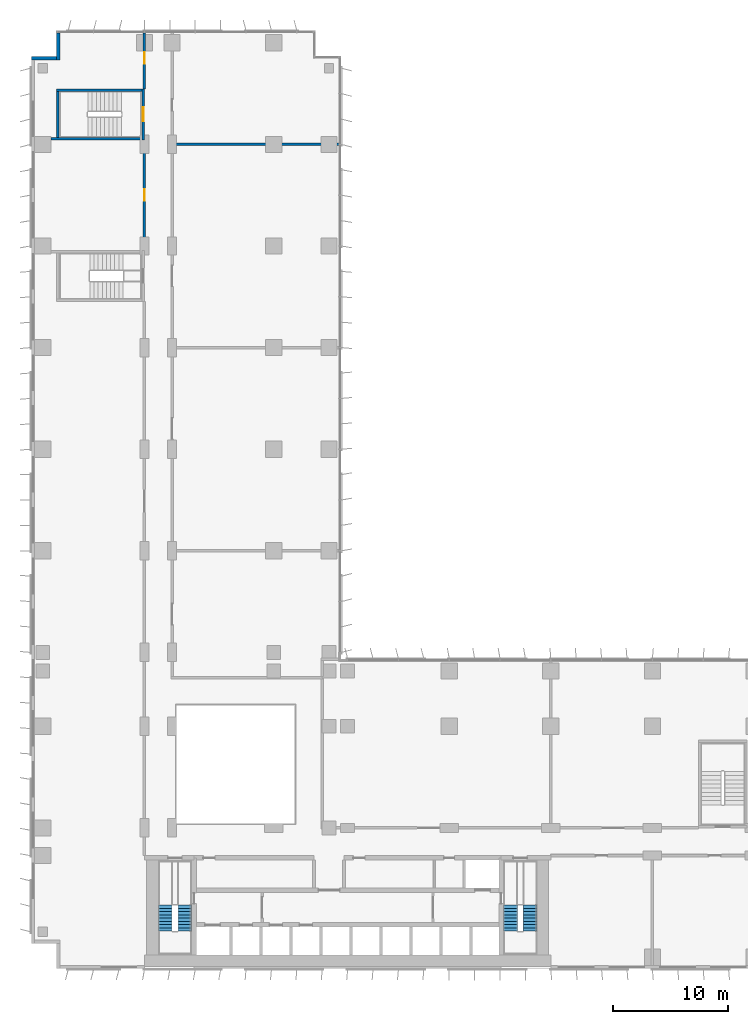
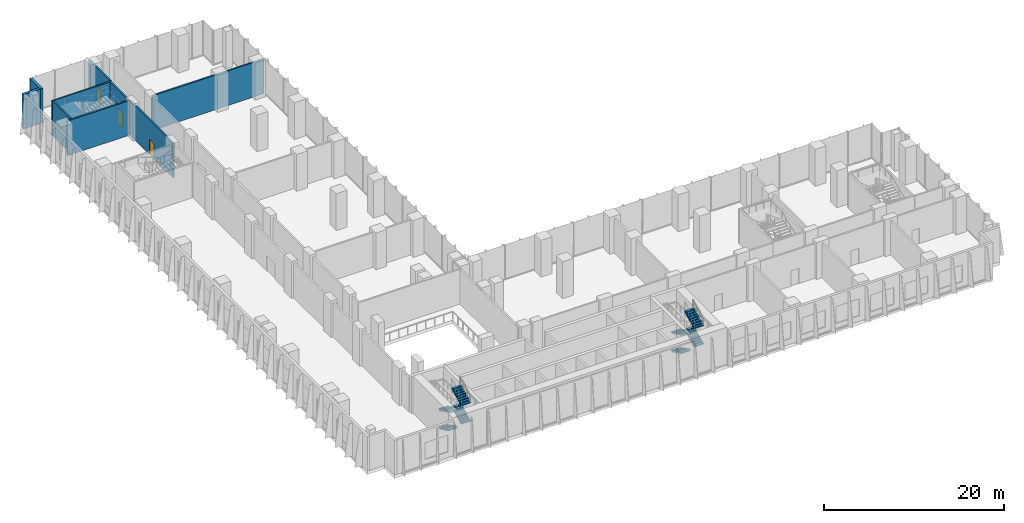
# One storey, part 16 of 23: 9 walls, 8 stair flights, 3 doors, 3 openings, 2 elements without a shape of their own.
"""IFC4 building model written with IfcOpenShell, lengths in metres."""

from ifc_helpers import new_model, si_unit, direction, frame, frame_2d, origin, place, context, subcontext, project, spatial, polyline, rectangle, outline, extrude, material, layer, layer_set, type_object, element, fill, aggregate, save


model = new_model("IFC4")

# Units and contexts
model_context = context("Model", 3, precision=1e-05, world=origin(), true_north=direction((0.0, 1.0)))
body_context = subcontext(model_context, "Body", "Model", "MODEL_VIEW")
ifc_project = project(units=[si_unit("LENGTHUNIT", "METRE"), si_unit("AREAUNIT", "SQUARE_METRE"), si_unit("VOLUMEUNIT", "CUBIC_METRE"), si_unit("PLANEANGLEUNIT", "RADIAN"), si_unit("MASSUNIT", "GRAM", prefix="KILO")], contexts=[model_context])

# Site, building, storey
site_placement = place(None, origin())
site = spatial("IfcSite", under=ifc_project, at=site_placement, CompositionType="ELEMENT")
building_placement = place(site_placement, origin())
building = spatial("IfcBuilding", under=site, at=building_placement, Name="Kemantara Hotel Tower", CompositionType="ELEMENT")
storey_placement = place(building_placement, frame((0.0, 0.0, 71.0)))
storey = spatial("IfcBuildingStorey", under=building, at=storey_placement, Name="L16", CompositionType="ELEMENT", Elevation=71.0)

# Walls
ifc_material_1 = material(Name="Bronze anodised aluminium cladding on insulated steel stud wall", Category="steel")
ifc_layer_1 = layer(ifc_material_1, 0.300048828125)
ifc_layer_set_1 = layer_set([ifc_layer_1], Name="Bronze anodised aluminium cladding on insulated steel stud wall")
wall_type_1 = type_object("IfcWallType", Name="BRONZE METAL-CLAD EXTERNAL WALL 300", PredefinedType="STANDARD", material=ifc_layer_set_1)
wall_1_placement = place(storey_placement, frame((2.35009765625, 81.050048828125, 0.0), z_axis=(0.0, 0.0, 1.0), x_axis=(0.0, -1.0, 0.0)))
element("IfcWall", 1, at=wall_1_placement, inside=storey, type_object=wall_type_1, Name="EXTERNAL WALL L16 T1-R12", PredefinedType="STANDARD", context=body_context, shape_type="SweptSolid", body=[
    extrude(rectangle(XDim=2.35009765625, YDim=0.300048828125, at=frame_2d((1.175048828125, 0.0))), origin(), (0.0, 0.0, 1.0), 4.699951171875),
])
wall_2_placement = place(storey_placement, frame((2.199951171875, 78.85009765625, 0.0), z_axis=(0.0, 0.0, 1.0), x_axis=(-1.0, 0.0, 0.0)))
element("IfcWall", 2, at=wall_2_placement, inside=storey, type_object=wall_type_1, Name="EXTERNAL WALL L16 T1-R13", PredefinedType="STANDARD", context=body_context, shape_type="SweptSolid", body=[
    extrude(rectangle(XDim=2.199951171875, YDim=0.300048828125, at=frame_2d((1.10009765625, 0.0))), origin(), (0.0, 0.0, 1.0), 4.699951171875),
])

# Wall, opening, door
ifc_material_2 = material(Name="Concrete fc 40 MPa", Category="concrete")
ifc_layer_2 = layer(ifc_material_2, 0.199951171875)
ifc_layer_set_2 = layer_set([ifc_layer_2], Name="Concrete fc 40 MPa")
wall_type_2 = type_object("IfcWallType", Name="Concrete stair wall 200 mm", PredefinedType="SHEAR", material=ifc_layer_set_2)
wall_3_placement = place(storey_placement, frame((9.699951171875, 71.800048828125, 0.0), z_axis=(0.0, 0.0, 1.0), x_axis=(0.0, 1.0, 0.0)))
wall_3 = element("IfcWall", 3, at=wall_3_placement, inside=storey, type_object=wall_type_2, Name="Stair ST6 enclosure wall with door", PredefinedType="SHEAR", context=body_context, shape_type="SweptSolid", body=[
    extrude(rectangle(XDim=4.39990234375, YDim=0.199951171875, at=frame_2d((2.199951171875, 0.0))), origin(), (0.0, 0.0, 1.0), 4.699951171875),
])
opening_1_placement = place(wall_3_placement, frame((1.60009765625, 0.0, 0.0)))
opening_1 = element("IfcOpeningElement", 4, at=opening_1_placement, cuts=wall_3, Name="Opening ST6-C", PredefinedType="OPENING", context=body_context, shape_type="SweptSolid", body=[
    extrude(rectangle(XDim=1.199951171875, YDim=2.10009765625, at=frame_2d((0.60009765625, 1.050048828125))), frame((0.0, 0.10986328125, 0.0), z_axis=(0.0, -1.0, 0.0), x_axis=(1.0, 0.0, 0.0)), (0.0, 0.0, 1.0), 0.219970703125),
])
ifc_material_3 = material(Name="Steel fire door", Category="steel")
door_type_1 = type_object("IfcDoorType", Name="Fire door FD90 1200 x 2100", OperationType="NOTDEFINED", PredefinedType="DOOR", material=ifc_material_3)
door_1_placement = place(opening_1_placement, origin())
door_1 = element("IfcDoor", 5, at=door_1_placement, inside=storey, type_object=door_type_1, Name="Stair ST6 door", OperationType="SINGLE_SWING_RIGHT", OverallHeight=2.10009765625, OverallWidth=1.199951171875, PredefinedType="DOOR", context=body_context, shape_type="SweptSolid", body=[
    extrude(rectangle(XDim=1.199951171875, YDim=2.10009765625, at=frame_2d((0.60009765625, 1.050048828125))), frame((0.0, 0.02490234375, 0.0), z_axis=(0.0, -1.0, 0.0), x_axis=(1.0, 0.0, 0.0)), (0.0, 0.0, 1.0), 0.050048828125),
])
fill(opening_1, door_1)

# Walls
wall_4_placement = place(storey_placement, frame((2.199951171875, 76.10009765625, 0.0), z_axis=(0.0, 0.0, 1.0), x_axis=(1.0, 0.0, 0.0)))
element("IfcWall", 6, at=wall_4_placement, inside=storey, type_object=wall_type_2, Name="Stair ST6 enclosure wall N", PredefinedType="SHEAR", context=body_context, shape_type="SweptSolid", body=[
    extrude(rectangle(XDim=7.400146484375, YDim=0.199951171875, at=frame_2d((3.7001953125, 0.0))), origin(), (0.0, 0.0, 1.0), 4.699951171875),
])
wall_5_placement = place(storey_placement, frame((1.699951171875, 71.89990234375, 0.0), z_axis=(0.0, 0.0, 1.0), x_axis=(1.0, 0.0, 0.0)))
element("IfcWall", 7, at=wall_5_placement, inside=storey, type_object=wall_type_2, Name="Stair ST6 enclosure wall S", PredefinedType="SHEAR", context=body_context, shape_type="SweptSolid", body=[
    extrude(rectangle(XDim=7.900146484375, YDim=0.199951171875, at=frame_2d((3.9501953125, 0.0))), origin(), (0.0, 0.0, 1.0), 4.699951171875),
])
wall_6_placement = place(storey_placement, frame((2.300048828125, 72.0, 0.0), z_axis=(0.0, 0.0, 1.0), x_axis=(0.0, 1.0, 0.0)))
element("IfcWall", 8, at=wall_6_placement, inside=storey, type_object=wall_type_2, Name="Stair ST6 enclosure wall W", PredefinedType="SHEAR", context=body_context, shape_type="SweptSolid", body=[
    extrude(rectangle(XDim=4.0, YDim=0.199951171875, at=frame_2d((2.0, 0.0))), origin(), (0.0, 0.0, 1.0), 4.699951171875),
])
ifc_material_4 = material(Name="Clay brick masonry", Category="masonry")
ifc_layer_3 = layer(ifc_material_4, 0.199951171875)
ifc_layer_set_3 = layer_set([ifc_layer_3], Name="Clay brick masonry")
wall_type_3 = type_object("IfcWallType", Name="FIRE-RATED CLAY BRICK WALL 200 EI 120", PredefinedType="PARTITIONING", material=ifc_layer_set_3)
wall_7_placement = place(storey_placement, frame((12.300048828125, 71.39990234375, 0.0), z_axis=(0.0, 0.0, 1.0), x_axis=(1.0, 0.0, 0.0)))
element("IfcWall", 9, at=wall_7_placement, inside=storey, type_object=wall_type_3, Name="FIRE WALL", PredefinedType="PARTITIONING", context=body_context, shape_type="SweptSolid", body=[
    extrude(rectangle(XDim=14.349853515625, YDim=0.199951171875, at=frame_2d((7.1748046875, 0.0))), origin(), (0.0, 0.0, 1.0), 4.699951171875),
])

# Wall, opening, door
ifc_material_5 = material(Name="Fire-rated gypsum board partition")
ifc_layer_4 = layer(ifc_material_5, 0.199951171875)
ifc_layer_set_4 = layer_set([ifc_layer_4], Name="Fire-rated gypsum board partition")
wall_type_4 = type_object("IfcWallType", Name="FIRE-RATED GYPSUM PARTITION 200 EI 60", PredefinedType="PARTITIONING", material=ifc_layer_set_4)
wall_8_placement = place(storey_placement, frame((9.800048828125, 62.199951171875, 0.0), z_axis=(0.0, 0.0, 1.0), x_axis=(0.0, 1.0, 0.0)))
wall_8 = element("IfcWall", 10, at=wall_8_placement, inside=storey, type_object=wall_type_4, Name="FIRE-RATED PARTITION", PredefinedType="PARTITIONING", context=body_context, shape_type="SweptSolid", body=[
    extrude(rectangle(XDim=9.60009765625, YDim=0.199951171875, at=frame_2d((4.800048828125, 0.0))), origin(), (0.0, 0.0, 1.0), 4.699951171875),
])
opening_2_placement = place(wall_8_placement, frame((4.300048828125, 0.0, 0.0)))
opening_2 = element("IfcOpeningElement", 11, at=opening_2_placement, cuts=wall_8, Name="Opening L16-B013", PredefinedType="OPENING", context=body_context, shape_type="SweptSolid", body=[
    extrude(rectangle(XDim=1.0, YDim=2.10009765625, at=frame_2d((0.5, 1.050048828125))), frame((0.0, 0.10986328125, 0.0), z_axis=(0.0, -1.0, 0.0), x_axis=(1.0, 0.0, 0.0)), (0.0, 0.0, 1.0), 0.219970703125),
])
ifc_material_6 = material(Name="Galvanised steel door leaf", Category="steel")
door_type_2 = type_object("IfcDoorType", Name="FIRE-RATED STEEL DOOR 1000 X 2100", OperationType="SINGLE_SWING_LEFT", PredefinedType="DOOR", material=ifc_material_6)
door_2_placement = place(opening_2_placement, frame((1.0, 0.0, 0.0), z_axis=(0.0, 0.0, 1.0), x_axis=(-1.0, 0.0, 0.0)))
door_2 = element("IfcDoor", 12, at=door_2_placement, inside=storey, type_object=door_type_2, Name="FIRE-RATED STEEL DOOR", OperationType="SINGLE_SWING_LEFT", OverallHeight=2.10009765625, OverallWidth=1.0, PredefinedType="DOOR", context=body_context, shape_type="SweptSolid", body=[
    extrude(rectangle(XDim=1.0, YDim=2.10009765625, at=frame_2d((0.5, 1.050048828125))), frame((0.0, 0.02490234375, 0.0), z_axis=(0.0, -1.0, 0.0), x_axis=(1.0, 0.0, 0.0)), (0.0, 0.0, 1.0), 0.050048828125),
])
fill(opening_2, door_2)

wall_9_placement = place(storey_placement, frame((9.800048828125, 76.199951171875, 0.0), z_axis=(0.0, 0.0, 1.0), x_axis=(0.0, 1.0, 0.0)))
wall_9 = element("IfcWall", 13, at=wall_9_placement, inside=storey, type_object=wall_type_4, Name="FIRE-RATED PARTITION", PredefinedType="PARTITIONING", context=body_context, shape_type="SweptSolid", body=[
    extrude(rectangle(XDim=4.85009765625, YDim=0.199951171875, at=frame_2d((2.425048828125, 0.0))), origin(), (0.0, 0.0, 1.0), 4.699951171875),
])
opening_3_placement = place(wall_9_placement, frame((2.199951171875, 0.0, 0.0)))
opening_3 = element("IfcOpeningElement", 14, at=opening_3_placement, cuts=wall_9, Name="Opening L16-B014", PredefinedType="OPENING", context=body_context, shape_type="SweptSolid", body=[
    extrude(rectangle(XDim=1.0, YDim=2.10009765625, at=frame_2d((0.5, 1.050048828125))), frame((0.0, 0.10986328125, 0.0), z_axis=(0.0, -1.0, 0.0), x_axis=(1.0, 0.0, 0.0)), (0.0, 0.0, 1.0), 0.219970703125),
])
door_3_placement = place(opening_3_placement, frame((1.0, 0.0, 0.0), z_axis=(0.0, 0.0, 1.0), x_axis=(-1.0, 0.0, 0.0)))
door_3 = element("IfcDoor", 15, at=door_3_placement, inside=storey, type_object=door_type_2, Name="FIRE-RATED STEEL DOOR", OperationType="SINGLE_SWING_LEFT", OverallHeight=2.10009765625, OverallWidth=1.0, PredefinedType="DOOR", context=body_context, shape_type="SweptSolid", body=[
    extrude(rectangle(XDim=1.0, YDim=2.10009765625, at=frame_2d((0.5, 1.050048828125))), frame((0.0, 0.02490234375, 0.0), z_axis=(0.0, -1.0, 0.0), x_axis=(1.0, 0.0, 0.0)), (0.0, 0.0, 1.0), 0.050048828125),
])
fill(opening_3, door_3)

# Stair, stair flights
stair_type = type_object("IfcStairType", Name="Stair 1200 wide 36 risers of 139 x 280 mm", PredefinedType="HALF_TURN_STAIR", material=ifc_material_2)
stair_1_placement = place(storey_placement, origin())
stair_1 = element("IfcStair", 16, at=stair_1_placement, inside=storey, type_object=stair_type, Name="L16 Exit stair ST1", PredefinedType="HALF_TURN_STAIR")
stair_flight_type = type_object("IfcStairFlightType", Name="Stair flight 1200 wide 139 x 280 mm", PredefinedType="STRAIGHT", material=ifc_material_2)
stair_flight_1_placement = place(storey_placement, frame((11.60009765625, 5.5, 0.0), z_axis=(0.0, 0.0, 1.0), x_axis=(0.0, -1.0, 0.0)))
stair_flight_1 = element("IfcStairFlight", 17, at=stair_flight_1_placement, type_object=stair_flight_type, Name="ST1 flight 1", NumberOfRisers=9, NumberOfTreads=8, PredefinedType="STRAIGHT", RiserHeight=0.138888889, TreadLength=0.28, context=body_context, shape_type="SweptSolid", body=[
    extrude(outline(polyline([(0.0, 0.0), (0.0, 0.138916015625), (0.280029296875, 0.138916015625), (0.280029296875, 0.27783203125), (0.56005859375, 0.27783203125), (0.56005859375, 0.416748046875), (0.840087890625, 0.416748046875), (0.840087890625, 0.5556640625), (1.1201171875, 0.5556640625), (1.1201171875, 0.6943359375), (1.39990234375, 0.6943359375), (1.39990234375, 0.833251953125), (1.679931640625, 0.833251953125), (1.679931640625, 0.97216796875), (1.9599609375, 0.97216796875), (1.9599609375, 1.111083984375), (2.239990234375, 1.111083984375), (2.239990234375, 1.25), (2.239990234375, 0.94384765625), (0.33740234375, 0.0), (0.0, 0.0)])), frame((0.0, 0.60009765625, 0.0), z_axis=(0.0, -1.0, 0.0), x_axis=(1.0, 0.0, 0.0)), (0.0, 0.0, 1.0), 1.199951171875),
])
stair_flight_2_placement = place(storey_placement, frame((13.300048828125, 3.260009765625, 1.25), z_axis=(0.0, 0.0, 1.0), x_axis=(0.0, 1.0, 0.0)))
stair_flight_2 = element("IfcStairFlight", 18, at=stair_flight_2_placement, type_object=stair_flight_type, Name="ST1 flight 2", NumberOfRisers=9, NumberOfTreads=8, PredefinedType="STRAIGHT", RiserHeight=0.138888889, TreadLength=0.28, context=body_context, shape_type="SweptSolid", body=[
    extrude(outline(polyline([(0.0, 0.0), (0.0, 0.138916015625), (0.280029296875, 0.138916015625), (0.280029296875, 0.27783203125), (0.56005859375, 0.27783203125), (0.56005859375, 0.416748046875), (0.840087890625, 0.416748046875), (0.840087890625, 0.5556640625), (1.1201171875, 0.5556640625), (1.1201171875, 0.6943359375), (1.39990234375, 0.6943359375), (1.39990234375, 0.833251953125), (1.679931640625, 0.833251953125), (1.679931640625, 0.97216796875), (1.9599609375, 0.97216796875), (1.9599609375, 1.111083984375), (2.239990234375, 1.111083984375), (2.239990234375, 1.25), (2.239990234375, 0.94384765625), (0.33740234375, 0.0), (0.0, 0.0)])), frame((0.0, 0.60009765625, 0.0), z_axis=(0.0, -1.0, 0.0), x_axis=(1.0, 0.0, 0.0)), (0.0, 0.0, 1.0), 1.199951171875),
])
stair_flight_3_placement = place(storey_placement, frame((11.60009765625, 5.5, 2.5), z_axis=(0.0, 0.0, 1.0), x_axis=(0.0, -1.0, 0.0)))
stair_flight_3 = element("IfcStairFlight", 19, at=stair_flight_3_placement, type_object=stair_flight_type, Name="ST1 flight 3", NumberOfRisers=9, NumberOfTreads=8, PredefinedType="STRAIGHT", RiserHeight=0.138888889, TreadLength=0.28, context=body_context, shape_type="SweptSolid", body=[
    extrude(outline(polyline([(0.0, 0.0), (0.0, 0.138916015625), (0.280029296875, 0.138916015625), (0.280029296875, 0.27783203125), (0.56005859375, 0.27783203125), (0.56005859375, 0.416748046875), (0.840087890625, 0.416748046875), (0.840087890625, 0.5556640625), (1.1201171875, 0.5556640625), (1.1201171875, 0.6943359375), (1.39990234375, 0.6943359375), (1.39990234375, 0.833251953125), (1.679931640625, 0.833251953125), (1.679931640625, 0.97216796875), (1.9599609375, 0.97216796875), (1.9599609375, 1.111083984375), (2.239990234375, 1.111083984375), (2.239990234375, 1.25), (2.239990234375, 0.94384765625), (0.33740234375, 0.0), (0.0, 0.0)])), frame((0.0, 0.60009765625, 0.0), z_axis=(0.0, -1.0, 0.0), x_axis=(1.0, 0.0, 0.0)), (0.0, 0.0, 1.0), 1.199951171875),
])
stair_flight_4_placement = place(storey_placement, frame((13.300048828125, 3.260009765625, 3.75), z_axis=(0.0, 0.0, 1.0), x_axis=(0.0, 1.0, 0.0)))
stair_flight_4 = element("IfcStairFlight", 20, at=stair_flight_4_placement, type_object=stair_flight_type, Name="ST1 flight 4", NumberOfRisers=9, NumberOfTreads=8, PredefinedType="STRAIGHT", RiserHeight=0.138888889, TreadLength=0.28, context=body_context, shape_type="SweptSolid", body=[
    extrude(outline(polyline([(0.0, 0.0), (0.0, 0.138916015625), (0.280029296875, 0.138916015625), (0.280029296875, 0.27783203125), (0.56005859375, 0.27783203125), (0.56005859375, 0.416748046875), (0.840087890625, 0.416748046875), (0.840087890625, 0.5556640625), (1.1201171875, 0.5556640625), (1.1201171875, 0.6943359375), (1.39990234375, 0.6943359375), (1.39990234375, 0.833251953125), (1.679931640625, 0.833251953125), (1.679931640625, 0.97216796875), (1.9599609375, 0.97216796875), (1.9599609375, 1.111083984375), (2.239990234375, 1.111083984375), (2.239990234375, 1.25), (2.239990234375, 0.94384765625), (0.33740234375, 0.0), (0.0, 0.0)])), frame((0.0, 0.60009765625, 0.0), z_axis=(0.0, -1.0, 0.0), x_axis=(1.0, 0.0, 0.0)), (0.0, 0.0, 1.0), 1.199951171875),
])
aggregate(stair_1, [stair_flight_1, stair_flight_2, stair_flight_3, stair_flight_4])

stair_2_placement = place(storey_placement, origin())
stair_2 = element("IfcStair", 21, at=stair_2_placement, inside=storey, type_object=stair_type, Name="L16 Exit stair ST2", PredefinedType="HALF_TURN_STAIR")
stair_flight_5_placement = place(storey_placement, frame((41.5, 5.5, 0.0), z_axis=(0.0, 0.0, 1.0), x_axis=(0.0, -1.0, 0.0)))
stair_flight_5 = element("IfcStairFlight", 22, at=stair_flight_5_placement, type_object=stair_flight_type, Name="ST2 flight 1", NumberOfRisers=9, NumberOfTreads=8, PredefinedType="STRAIGHT", RiserHeight=0.138888889, TreadLength=0.28, context=body_context, shape_type="SweptSolid", body=[
    extrude(outline(polyline([(0.0, 0.0), (0.0, 0.138916015625), (0.280029296875, 0.138916015625), (0.280029296875, 0.27783203125), (0.56005859375, 0.27783203125), (0.56005859375, 0.416748046875), (0.840087890625, 0.416748046875), (0.840087890625, 0.5556640625), (1.1201171875, 0.5556640625), (1.1201171875, 0.6943359375), (1.39990234375, 0.6943359375), (1.39990234375, 0.833251953125), (1.679931640625, 0.833251953125), (1.679931640625, 0.97216796875), (1.9599609375, 0.97216796875), (1.9599609375, 1.111083984375), (2.239990234375, 1.111083984375), (2.239990234375, 1.25), (2.239990234375, 0.94384765625), (0.33740234375, 0.0), (0.0, 0.0)])), frame((0.0, 0.60009765625, 0.0), z_axis=(0.0, -1.0, 0.0), x_axis=(1.0, 0.0, 0.0)), (0.0, 0.0, 1.0), 1.199951171875),
])
stair_flight_6_placement = place(storey_placement, frame((43.199951171875, 3.260009765625, 1.25), z_axis=(0.0, 0.0, 1.0), x_axis=(0.0, 1.0, 0.0)))
stair_flight_6 = element("IfcStairFlight", 23, at=stair_flight_6_placement, type_object=stair_flight_type, Name="ST2 flight 2", NumberOfRisers=9, NumberOfTreads=8, PredefinedType="STRAIGHT", RiserHeight=0.138888889, TreadLength=0.28, context=body_context, shape_type="SweptSolid", body=[
    extrude(outline(polyline([(0.0, 0.0), (0.0, 0.138916015625), (0.280029296875, 0.138916015625), (0.280029296875, 0.27783203125), (0.56005859375, 0.27783203125), (0.56005859375, 0.416748046875), (0.840087890625, 0.416748046875), (0.840087890625, 0.5556640625), (1.1201171875, 0.5556640625), (1.1201171875, 0.6943359375), (1.39990234375, 0.6943359375), (1.39990234375, 0.833251953125), (1.679931640625, 0.833251953125), (1.679931640625, 0.97216796875), (1.9599609375, 0.97216796875), (1.9599609375, 1.111083984375), (2.239990234375, 1.111083984375), (2.239990234375, 1.25), (2.239990234375, 0.94384765625), (0.33740234375, 0.0), (0.0, 0.0)])), frame((0.0, 0.60009765625, 0.0), z_axis=(0.0, -1.0, 0.0), x_axis=(1.0, 0.0, 0.0)), (0.0, 0.0, 1.0), 1.199951171875),
])
stair_flight_7_placement = place(storey_placement, frame((41.5, 5.5, 2.5), z_axis=(0.0, 0.0, 1.0), x_axis=(0.0, -1.0, 0.0)))
stair_flight_7 = element("IfcStairFlight", 24, at=stair_flight_7_placement, type_object=stair_flight_type, Name="ST2 flight 3", NumberOfRisers=9, NumberOfTreads=8, PredefinedType="STRAIGHT", RiserHeight=0.138888889, TreadLength=0.28, context=body_context, shape_type="SweptSolid", body=[
    extrude(outline(polyline([(0.0, 0.0), (0.0, 0.138916015625), (0.280029296875, 0.138916015625), (0.280029296875, 0.27783203125), (0.56005859375, 0.27783203125), (0.56005859375, 0.416748046875), (0.840087890625, 0.416748046875), (0.840087890625, 0.5556640625), (1.1201171875, 0.5556640625), (1.1201171875, 0.6943359375), (1.39990234375, 0.6943359375), (1.39990234375, 0.833251953125), (1.679931640625, 0.833251953125), (1.679931640625, 0.97216796875), (1.9599609375, 0.97216796875), (1.9599609375, 1.111083984375), (2.239990234375, 1.111083984375), (2.239990234375, 1.25), (2.239990234375, 0.94384765625), (0.33740234375, 0.0), (0.0, 0.0)])), frame((0.0, 0.60009765625, 0.0), z_axis=(0.0, -1.0, 0.0), x_axis=(1.0, 0.0, 0.0)), (0.0, 0.0, 1.0), 1.199951171875),
])
stair_flight_8_placement = place(storey_placement, frame((43.199951171875, 3.260009765625, 3.75), z_axis=(0.0, 0.0, 1.0), x_axis=(0.0, 1.0, 0.0)))
stair_flight_8 = element("IfcStairFlight", 25, at=stair_flight_8_placement, type_object=stair_flight_type, Name="ST2 flight 4", NumberOfRisers=9, NumberOfTreads=8, PredefinedType="STRAIGHT", RiserHeight=0.138888889, TreadLength=0.28, context=body_context, shape_type="SweptSolid", body=[
    extrude(outline(polyline([(0.0, 0.0), (0.0, 0.138916015625), (0.280029296875, 0.138916015625), (0.280029296875, 0.27783203125), (0.56005859375, 0.27783203125), (0.56005859375, 0.416748046875), (0.840087890625, 0.416748046875), (0.840087890625, 0.5556640625), (1.1201171875, 0.5556640625), (1.1201171875, 0.6943359375), (1.39990234375, 0.6943359375), (1.39990234375, 0.833251953125), (1.679931640625, 0.833251953125), (1.679931640625, 0.97216796875), (1.9599609375, 0.97216796875), (1.9599609375, 1.111083984375), (2.239990234375, 1.111083984375), (2.239990234375, 1.25), (2.239990234375, 0.94384765625), (0.33740234375, 0.0), (0.0, 0.0)])), frame((0.0, 0.60009765625, 0.0), z_axis=(0.0, -1.0, 0.0), x_axis=(1.0, 0.0, 0.0)), (0.0, 0.0, 1.0), 1.199951171875),
])
aggregate(stair_2, [stair_flight_5, stair_flight_6, stair_flight_7, stair_flight_8])

save(model, "model.ifc")
